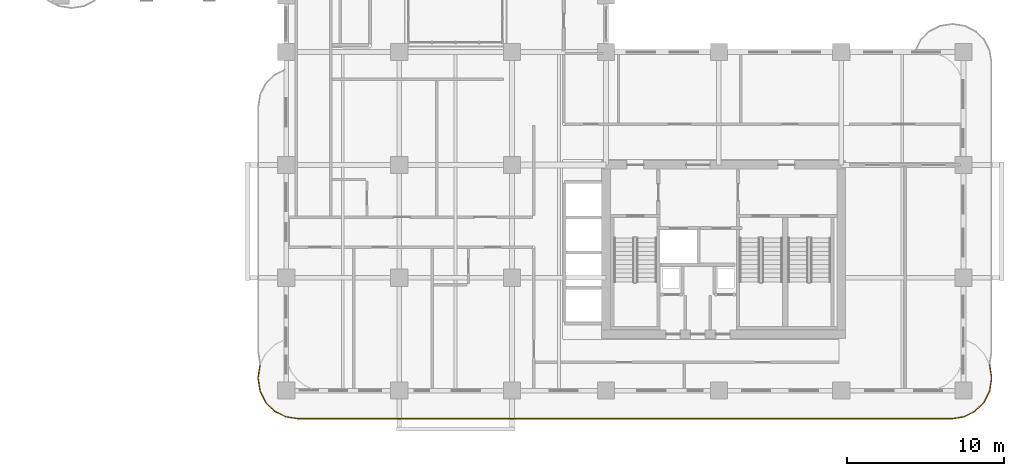
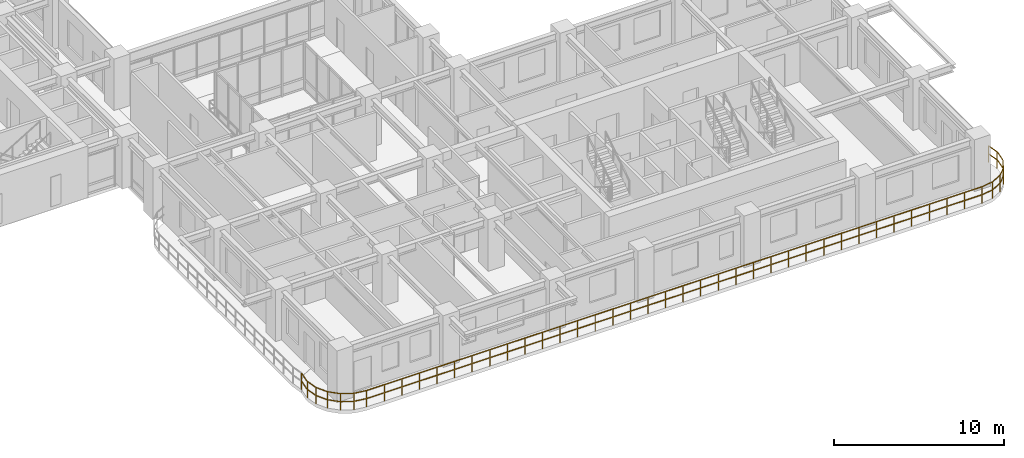
# One storey, part 19 of 22: 1 railing.
"""IFC4 building model written with IfcOpenShell, lengths in metres."""

from ifc_helpers import new_model, si_unit, derived_unit, direction, frame, origin, origin_2d, place, context, subcontext, project, spatial, rectangle, extrude, material, type_object, element, save


model = new_model("IFC4")

# Units and contexts
model_context = context("Model", 3, precision=1e-05, world=origin(), true_north=direction((0.0, 1.0)))
body_context = subcontext(model_context, "Body", "Model", "MODEL_VIEW")
ifc_project = project(units=[si_unit("LENGTHUNIT", "METRE"), si_unit("AREAUNIT", "SQUARE_METRE"), si_unit("VOLUMEUNIT", "CUBIC_METRE"), si_unit("PLANEANGLEUNIT", "RADIAN"), si_unit("MASSUNIT", "GRAM", prefix="KILO"), si_unit("THERMODYNAMICTEMPERATUREUNIT", "KELVIN"), si_unit("POWERUNIT", "WATT"), derived_unit("THERMALTRANSMITTANCEUNIT", [(si_unit("POWERUNIT", "WATT"), 1), (si_unit("AREAUNIT", "SQUARE_METRE"), -1), (si_unit("THERMODYNAMICTEMPERATUREUNIT", "KELVIN"), -1)])], contexts=[model_context])

# Site, building, storey
site_placement = place(None, origin())
site = spatial("IfcSite", under=ifc_project, at=site_placement, CompositionType="ELEMENT")
building_placement = place(site_placement, origin())
building = spatial("IfcBuilding", under=site, at=building_placement, Name="Zahravan Archway Hotel and Residences", CompositionType="ELEMENT")
storey_placement = place(building_placement, frame((0.0, 0.0, 95.300048828125)))
storey = spatial("IfcBuildingStorey", under=building, at=storey_placement, Name="L23", CompositionType="ELEMENT", Elevation=95.300048828125)

# Railing
ifc_material = material(Name="Bronze & Laminated Glass Balustrade", Category="glass")
railing_type = type_object("IfcRailingType", Name="RL-BAL-1200", PredefinedType="BALUSTRADE", material=ifc_material)
railing_placement = place(storey_placement, frame((59.275146484375, 1.637939453125, 0.0)))
element("IfcRailing", 1, at=railing_placement, inside=storey, type_object=railing_type, Name="L23 Balustrade RL-SLB-BAL-L23-SA-1", PredefinedType="BALUSTRADE", context=body_context, shape_type="SweptSolid", body=[
    extrude(rectangle(XDim=0.048095703125, YDim=0.048095703125, at=origin_2d()), frame((0.0, 0.0, 1.17578125), z_axis=(0.156402639467, -0.987693380745, 0.0), x_axis=(0.987693380745, 0.156402639467, 0.0)), (0.0, 0.0, 1.0), 0.797607421875),
    extrude(rectangle(XDim=0.048095703125, YDim=0.048095703125, at=origin_2d()), frame((0.0, 0.0, 0.60009765625), z_axis=(0.156402639467, -0.987693380745, 0.0), x_axis=(0.987693380745, 0.156402639467, 0.0)), (0.0, 0.0, 1.0), 0.797607421875),
    extrude(rectangle(XDim=0.048095703125, YDim=0.048095703125, at=origin_2d()), frame((0.124755859375, -0.787841796875, 1.17578125), z_axis=(0.0, -1.0, 0.0), x_axis=(1.0, 0.0, 0.0)), (0.0, 0.0, 1.0), 0.10009765625),
    extrude(rectangle(XDim=0.048095703125, YDim=0.048095703125, at=origin_2d()), frame((0.124755859375, -0.787841796875, 0.60009765625), z_axis=(0.0, -1.0, 0.0), x_axis=(1.0, 0.0, 0.0)), (0.0, 0.0, 1.0), 0.10009765625),
    extrude(rectangle(XDim=0.048095703125, YDim=0.048095703125, at=origin_2d()), frame((0.124755859375, -0.887939453125, 1.17578125), z_axis=(-0.156355372278, -0.987700864412, 0.0), x_axis=(0.987700864412, -0.156355372278, 0.0)), (0.0, 0.0, 1.0), 0.7978515625),
    extrude(rectangle(XDim=0.048095703125, YDim=0.048095703125, at=origin_2d()), frame((0.124755859375, -0.887939453125, 0.60009765625), z_axis=(-0.156355372278, -0.987700864412, 0.0), x_axis=(0.987700864412, -0.156355372278, 0.0)), (0.0, 0.0, 1.0), 0.7978515625),
    extrude(rectangle(XDim=0.048095703125, YDim=0.048095703125, at=origin_2d()), frame((0.0, -1.676025390625, 1.17578125), z_axis=(-0.453934952053, -0.891034824967, 0.0), x_axis=(0.891034824967, -0.453934952053, 0.0)), (0.0, 0.0, 1.0), 0.797607421875),
    extrude(rectangle(XDim=0.048095703125, YDim=0.048095703125, at=origin_2d()), frame((0.0, -1.676025390625, 0.60009765625), z_axis=(-0.453934952053, -0.891034824967, 0.0), x_axis=(0.891034824967, -0.453934952053, 0.0)), (0.0, 0.0, 1.0), 0.797607421875),
    extrude(rectangle(XDim=0.048095703125, YDim=0.048095703125, at=origin_2d()), frame((-0.362060546875, -2.38671875, 1.17578125), z_axis=(-0.707106781187, -0.707106781187, 0.0), x_axis=(0.707106781187, -0.707106781187, 0.0)), (0.0, 0.0, 1.0), 0.7978515625),
    extrude(rectangle(XDim=0.048095703125, YDim=0.048095703125, at=origin_2d()), frame((-0.362060546875, -2.38671875, 0.60009765625), z_axis=(-0.707106781187, -0.707106781187, 0.0), x_axis=(0.707106781187, -0.707106781187, 0.0)), (0.0, 0.0, 1.0), 0.7978515625),
    extrude(rectangle(XDim=0.048095703125, YDim=0.048095703125, at=origin_2d()), frame((-0.92626953125, -2.950927734375, 1.17578125), z_axis=(-0.890974108706, -0.454054113091, 0.0), x_axis=(0.454054113091, -0.890974108706, 0.0)), (0.0, 0.0, 1.0), 0.7978515625),
    extrude(rectangle(XDim=0.048095703125, YDim=0.048095703125, at=origin_2d()), frame((-0.92626953125, -2.950927734375, 0.60009765625), z_axis=(-0.890974108706, -0.454054113091, 0.0), x_axis=(0.454054113091, -0.890974108706, 0.0)), (0.0, 0.0, 1.0), 0.7978515625),
    extrude(rectangle(XDim=0.048095703125, YDim=0.048095703125, at=origin_2d()), frame((-1.63720703125, -3.313232421875, 1.17578125), z_axis=(-0.987693380745, -0.156402639467, 0.0), x_axis=(0.156402639467, -0.987693380745, 0.0)), (0.0, 0.0, 1.0), 0.797607421875),
    extrude(rectangle(XDim=0.048095703125, YDim=0.048095703125, at=origin_2d()), frame((-1.63720703125, -3.313232421875, 0.60009765625), z_axis=(-0.987693380745, -0.156402639467, 0.0), x_axis=(0.156402639467, -0.987693380745, 0.0)), (0.0, 0.0, 1.0), 0.797607421875),
    extrude(rectangle(XDim=0.048095703125, YDim=0.048095703125, at=origin_2d()), frame((-2.425048828125, -3.43798828125, 1.17578125), z_axis=(-1.0, 0.0, 0.0), x_axis=(0.0, -1.0, 0.0)), (0.0, 0.0, 1.0), 41.7001953125),
    extrude(rectangle(XDim=0.048095703125, YDim=0.048095703125, at=origin_2d()), frame((-2.425048828125, -3.43798828125, 0.60009765625), z_axis=(-1.0, 0.0, 0.0), x_axis=(0.0, -1.0, 0.0)), (0.0, 0.0, 1.0), 41.7001953125),
    extrude(rectangle(XDim=0.048095703125, YDim=0.048095703125, at=origin_2d()), frame((-44.125244140625, -3.43798828125, 1.17578125), z_axis=(-0.987693380745, 0.156402639467, 0.0), x_axis=(-0.156402639467, -0.987693380745, 0.0)), (0.0, 0.0, 1.0), 0.797607421875),
    extrude(rectangle(XDim=0.048095703125, YDim=0.048095703125, at=origin_2d()), frame((-44.125244140625, -3.43798828125, 0.60009765625), z_axis=(-0.987693380745, 0.156402639467, 0.0), x_axis=(-0.156402639467, -0.987693380745, 0.0)), (0.0, 0.0, 1.0), 0.797607421875),
    extrude(rectangle(XDim=0.048095703125, YDim=0.048095703125, at=origin_2d()), frame((-44.9130859375, -3.313232421875, 1.17578125), z_axis=(-0.890974108706, 0.454054113091, 0.0), x_axis=(-0.454054113091, -0.890974108706, 0.0)), (0.0, 0.0, 1.0), 0.7978515625),
    extrude(rectangle(XDim=0.048095703125, YDim=0.048095703125, at=origin_2d()), frame((-44.9130859375, -3.313232421875, 0.60009765625), z_axis=(-0.890974108706, 0.454054113091, 0.0), x_axis=(-0.454054113091, -0.890974108706, 0.0)), (0.0, 0.0, 1.0), 0.7978515625),
    extrude(rectangle(XDim=0.048095703125, YDim=0.048095703125, at=origin_2d()), frame((-45.6240234375, -2.950927734375, 1.17578125), z_axis=(-0.707106781187, 0.707106781187, 0.0), x_axis=(-0.707106781187, -0.707106781187, 0.0)), (0.0, 0.0, 1.0), 0.7978515625),
    extrude(rectangle(XDim=0.048095703125, YDim=0.048095703125, at=origin_2d()), frame((-45.6240234375, -2.950927734375, 0.60009765625), z_axis=(-0.707106781187, 0.707106781187, 0.0), x_axis=(-0.707106781187, -0.707106781187, 0.0)), (0.0, 0.0, 1.0), 0.7978515625),
    extrude(rectangle(XDim=0.048095703125, YDim=0.048095703125, at=origin_2d()), frame((-46.188232421875, -2.38671875, 1.17578125), z_axis=(-0.453934952053, 0.891034824967, 0.0), x_axis=(-0.891034824967, -0.453934952053, 0.0)), (0.0, 0.0, 1.0), 0.797607421875),
    extrude(rectangle(XDim=0.048095703125, YDim=0.048095703125, at=origin_2d()), frame((-46.188232421875, -2.38671875, 0.60009765625), z_axis=(-0.453934952053, 0.891034824967, 0.0), x_axis=(-0.891034824967, -0.453934952053, 0.0)), (0.0, 0.0, 1.0), 0.797607421875),
    extrude(rectangle(XDim=0.048095703125, YDim=0.048095703125, at=origin_2d()), frame((-46.55029296875, -1.676025390625, 1.17578125), z_axis=(-0.156355372278, 0.987700864412, 0.0), x_axis=(-0.987700864412, -0.156355372278, 0.0)), (0.0, 0.0, 1.0), 0.7978515625),
    extrude(rectangle(XDim=0.048095703125, YDim=0.048095703125, at=origin_2d()), frame((-46.55029296875, -1.676025390625, 0.60009765625), z_axis=(-0.156355372278, 0.987700864412, 0.0), x_axis=(-0.987700864412, -0.156355372278, 0.0)), (0.0, 0.0, 1.0), 0.7978515625),
    extrude(rectangle(XDim=0.048095703125, YDim=0.048095703125, at=origin_2d()), frame((-46.675048828125, -0.887939453125, 1.17578125), z_axis=(0.0, 1.0, 0.0), x_axis=(-1.0, 0.0, 0.0)), (0.0, 0.0, 1.0), 0.10009765625),
    extrude(rectangle(XDim=0.048095703125, YDim=0.048095703125, at=origin_2d()), frame((-46.675048828125, -0.887939453125, 0.60009765625), z_axis=(0.0, 1.0, 0.0), x_axis=(-1.0, 0.0, 0.0)), (0.0, 0.0, 1.0), 0.10009765625),
    extrude(rectangle(XDim=0.048095703125, YDim=0.048095703125, at=origin_2d()), frame((-46.675048828125, -0.787841796875, 1.17578125), z_axis=(0.156402639467, 0.987693380745, 0.0), x_axis=(-0.987693380745, 0.156402639467, 0.0)), (0.0, 0.0, 1.0), 0.797607421875),
    extrude(rectangle(XDim=0.048095703125, YDim=0.048095703125, at=origin_2d()), frame((-46.675048828125, -0.787841796875, 0.60009765625), z_axis=(0.156402639467, 0.987693380745, 0.0), x_axis=(-0.987693380745, 0.156402639467, 0.0)), (0.0, 0.0, 1.0), 0.797607421875),
    extrude(rectangle(XDim=0.0419921875, YDim=0.0419921875, at=origin_2d()), origin(), (0.0, 0.0, 1.0), 1.15185546875),
    extrude(rectangle(XDim=0.0419921875, YDim=0.0419921875, at=origin_2d()), frame((0.124755859375, -0.787841796875, 0.0)), (0.0, 0.0, 1.0), 1.15185546875),
    extrude(rectangle(XDim=0.0419921875, YDim=0.0419921875, at=origin_2d()), frame((0.0, -1.676025390625, 0.0)), (0.0, 0.0, 1.0), 1.15185546875),
    extrude(rectangle(XDim=0.0419921875, YDim=0.0419921875, at=origin_2d()), frame((-0.362060546875, -2.38671875, 0.0)), (0.0, 0.0, 1.0), 1.15185546875),
    extrude(rectangle(XDim=0.0419921875, YDim=0.0419921875, at=origin_2d()), frame((-0.92626953125, -2.950927734375, 0.0)), (0.0, 0.0, 1.0), 1.15185546875),
    extrude(rectangle(XDim=0.0419921875, YDim=0.0419921875, at=origin_2d()), frame((-1.63720703125, -3.313232421875, 0.0)), (0.0, 0.0, 1.0), 1.15185546875),
    extrude(rectangle(XDim=0.0419921875, YDim=0.0419921875, at=origin_2d()), frame((-2.425048828125, -3.43798828125, 0.0)), (0.0, 0.0, 1.0), 1.15185546875),
    extrude(rectangle(XDim=0.0419921875, YDim=0.0419921875, at=origin_2d()), frame((-3.616455078125, -3.43798828125, 0.0)), (0.0, 0.0, 1.0), 1.15185546875),
    extrude(rectangle(XDim=0.0419921875, YDim=0.0419921875, at=origin_2d()), frame((-4.807861328125, -3.43798828125, 0.0)), (0.0, 0.0, 1.0), 1.15185546875),
    extrude(rectangle(XDim=0.0419921875, YDim=0.0419921875, at=origin_2d()), frame((-5.999267578125, -3.43798828125, 0.0)), (0.0, 0.0, 1.0), 1.15185546875),
    extrude(rectangle(XDim=0.0419921875, YDim=0.0419921875, at=origin_2d()), frame((-7.190673828125, -3.43798828125, 0.0)), (0.0, 0.0, 1.0), 1.15185546875),
    extrude(rectangle(XDim=0.0419921875, YDim=0.0419921875, at=origin_2d()), frame((-8.38232421875, -3.43798828125, 0.0)), (0.0, 0.0, 1.0), 1.15185546875),
    extrude(rectangle(XDim=0.0419921875, YDim=0.0419921875, at=origin_2d()), frame((-9.57373046875, -3.43798828125, 0.0)), (0.0, 0.0, 1.0), 1.15185546875),
    extrude(rectangle(XDim=0.0419921875, YDim=0.0419921875, at=origin_2d()), frame((-10.76513671875, -3.43798828125, 0.0)), (0.0, 0.0, 1.0), 1.15185546875),
    extrude(rectangle(XDim=0.0419921875, YDim=0.0419921875, at=origin_2d()), frame((-11.95654296875, -3.43798828125, 0.0)), (0.0, 0.0, 1.0), 1.15185546875),
    extrude(rectangle(XDim=0.0419921875, YDim=0.0419921875, at=origin_2d()), frame((-13.14794921875, -3.43798828125, 0.0)), (0.0, 0.0, 1.0), 1.15185546875),
    extrude(rectangle(XDim=0.0419921875, YDim=0.0419921875, at=origin_2d()), frame((-14.33935546875, -3.43798828125, 0.0)), (0.0, 0.0, 1.0), 1.15185546875),
    extrude(rectangle(XDim=0.0419921875, YDim=0.0419921875, at=origin_2d()), frame((-15.53076171875, -3.43798828125, 0.0)), (0.0, 0.0, 1.0), 1.15185546875),
    extrude(rectangle(XDim=0.0419921875, YDim=0.0419921875, at=origin_2d()), frame((-16.72216796875, -3.43798828125, 0.0)), (0.0, 0.0, 1.0), 1.15185546875),
    extrude(rectangle(XDim=0.0419921875, YDim=0.0419921875, at=origin_2d()), frame((-17.91357421875, -3.43798828125, 0.0)), (0.0, 0.0, 1.0), 1.15185546875),
    extrude(rectangle(XDim=0.0419921875, YDim=0.0419921875, at=origin_2d()), frame((-19.105224609375, -3.43798828125, 0.0)), (0.0, 0.0, 1.0), 1.15185546875),
    extrude(rectangle(XDim=0.0419921875, YDim=0.0419921875, at=origin_2d()), frame((-20.296630859375, -3.43798828125, 0.0)), (0.0, 0.0, 1.0), 1.15185546875),
    extrude(rectangle(XDim=0.0419921875, YDim=0.0419921875, at=origin_2d()), frame((-21.488037109375, -3.43798828125, 0.0)), (0.0, 0.0, 1.0), 1.15185546875),
    extrude(rectangle(XDim=0.0419921875, YDim=0.0419921875, at=origin_2d()), frame((-22.679443359375, -3.43798828125, 0.0)), (0.0, 0.0, 1.0), 1.15185546875),
    extrude(rectangle(XDim=0.0419921875, YDim=0.0419921875, at=origin_2d()), frame((-23.870849609375, -3.43798828125, 0.0)), (0.0, 0.0, 1.0), 1.15185546875),
    extrude(rectangle(XDim=0.0419921875, YDim=0.0419921875, at=origin_2d()), frame((-25.062255859375, -3.43798828125, 0.0)), (0.0, 0.0, 1.0), 1.15185546875),
    extrude(rectangle(XDim=0.0419921875, YDim=0.0419921875, at=origin_2d()), frame((-26.253662109375, -3.43798828125, 0.0)), (0.0, 0.0, 1.0), 1.15185546875),
    extrude(rectangle(XDim=0.0419921875, YDim=0.0419921875, at=origin_2d()), frame((-27.445068359375, -3.43798828125, 0.0)), (0.0, 0.0, 1.0), 1.15185546875),
    extrude(rectangle(XDim=0.0419921875, YDim=0.0419921875, at=origin_2d()), frame((-28.63671875, -3.43798828125, 0.0)), (0.0, 0.0, 1.0), 1.15185546875),
    extrude(rectangle(XDim=0.0419921875, YDim=0.0419921875, at=origin_2d()), frame((-29.828125, -3.43798828125, 0.0)), (0.0, 0.0, 1.0), 1.15185546875),
    extrude(rectangle(XDim=0.0419921875, YDim=0.0419921875, at=origin_2d()), frame((-31.01953125, -3.43798828125, 0.0)), (0.0, 0.0, 1.0), 1.15185546875),
    extrude(rectangle(XDim=0.0419921875, YDim=0.0419921875, at=origin_2d()), frame((-32.2109375, -3.43798828125, 0.0)), (0.0, 0.0, 1.0), 1.15185546875),
    extrude(rectangle(XDim=0.0419921875, YDim=0.0419921875, at=origin_2d()), frame((-33.40234375, -3.43798828125, 0.0)), (0.0, 0.0, 1.0), 1.15185546875),
    extrude(rectangle(XDim=0.0419921875, YDim=0.0419921875, at=origin_2d()), frame((-34.59375, -3.43798828125, 0.0)), (0.0, 0.0, 1.0), 1.15185546875),
    extrude(rectangle(XDim=0.0419921875, YDim=0.0419921875, at=origin_2d()), frame((-35.78515625, -3.43798828125, 0.0)), (0.0, 0.0, 1.0), 1.15185546875),
    extrude(rectangle(XDim=0.0419921875, YDim=0.0419921875, at=origin_2d()), frame((-36.9765625, -3.43798828125, 0.0)), (0.0, 0.0, 1.0), 1.15185546875),
    extrude(rectangle(XDim=0.0419921875, YDim=0.0419921875, at=origin_2d()), frame((-38.16796875, -3.43798828125, 0.0)), (0.0, 0.0, 1.0), 1.15185546875),
    extrude(rectangle(XDim=0.0419921875, YDim=0.0419921875, at=origin_2d()), frame((-39.359619140625, -3.43798828125, 0.0)), (0.0, 0.0, 1.0), 1.15185546875),
    extrude(rectangle(XDim=0.0419921875, YDim=0.0419921875, at=origin_2d()), frame((-40.551025390625, -3.43798828125, 0.0)), (0.0, 0.0, 1.0), 1.15185546875),
    extrude(rectangle(XDim=0.0419921875, YDim=0.0419921875, at=origin_2d()), frame((-41.742431640625, -3.43798828125, 0.0)), (0.0, 0.0, 1.0), 1.15185546875),
    extrude(rectangle(XDim=0.0419921875, YDim=0.0419921875, at=origin_2d()), frame((-42.933837890625, -3.43798828125, 0.0)), (0.0, 0.0, 1.0), 1.15185546875),
    extrude(rectangle(XDim=0.0419921875, YDim=0.0419921875, at=origin_2d()), frame((-44.125244140625, -3.43798828125, 0.0)), (0.0, 0.0, 1.0), 1.15185546875),
    extrude(rectangle(XDim=0.0419921875, YDim=0.0419921875, at=origin_2d()), frame((-44.9130859375, -3.313232421875, 0.0)), (0.0, 0.0, 1.0), 1.15185546875),
    extrude(rectangle(XDim=0.0419921875, YDim=0.0419921875, at=origin_2d()), frame((-45.6240234375, -2.950927734375, 0.0)), (0.0, 0.0, 1.0), 1.15185546875),
    extrude(rectangle(XDim=0.0419921875, YDim=0.0419921875, at=origin_2d()), frame((-46.188232421875, -2.38671875, 0.0)), (0.0, 0.0, 1.0), 1.15185546875),
    extrude(rectangle(XDim=0.0419921875, YDim=0.0419921875, at=origin_2d()), frame((-46.55029296875, -1.676025390625, 0.0)), (0.0, 0.0, 1.0), 1.15185546875),
    extrude(rectangle(XDim=0.0419921875, YDim=0.0419921875, at=origin_2d()), frame((-46.675048828125, -0.887939453125, 0.0)), (0.0, 0.0, 1.0), 1.15185546875),
    extrude(rectangle(XDim=0.0419921875, YDim=0.0419921875, at=origin_2d()), frame((-46.55029296875, 0.0, 0.0)), (0.0, 0.0, 1.0), 1.15185546875),
])

save(model, "model.ifc")
